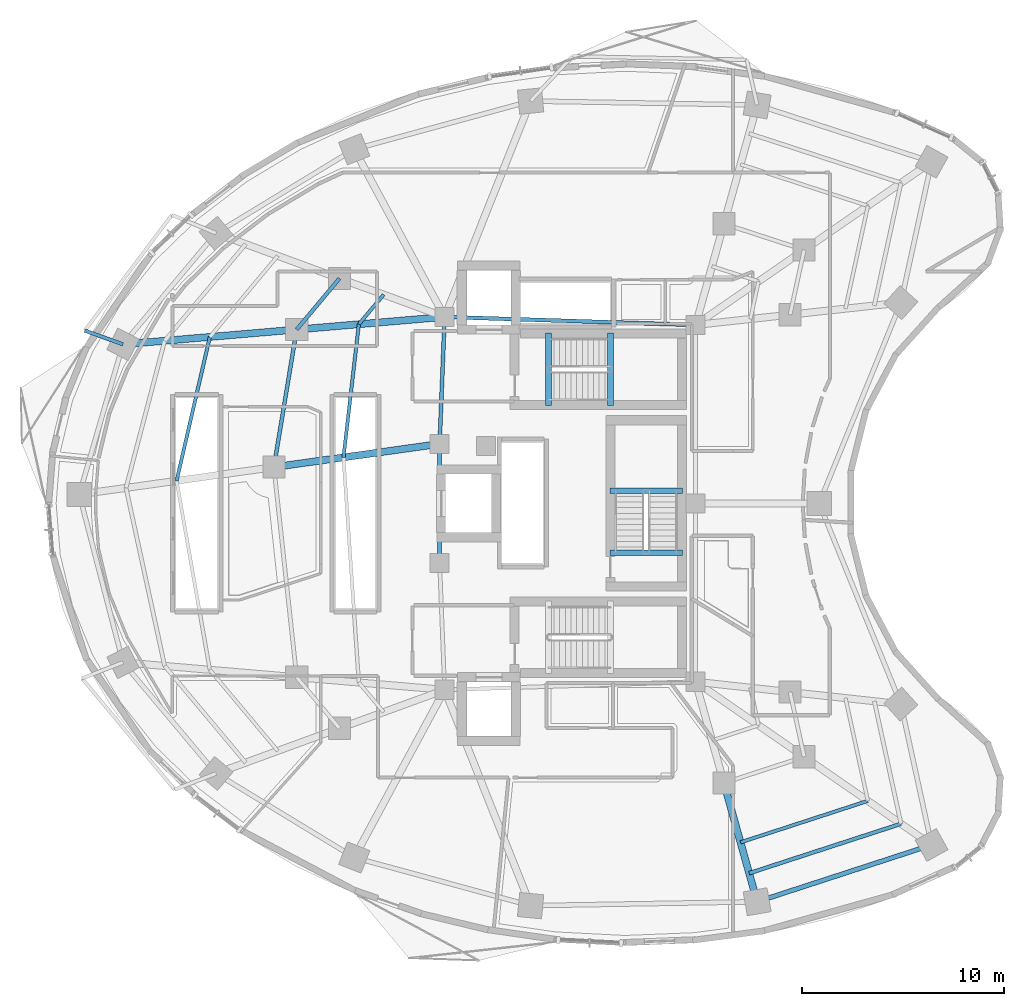
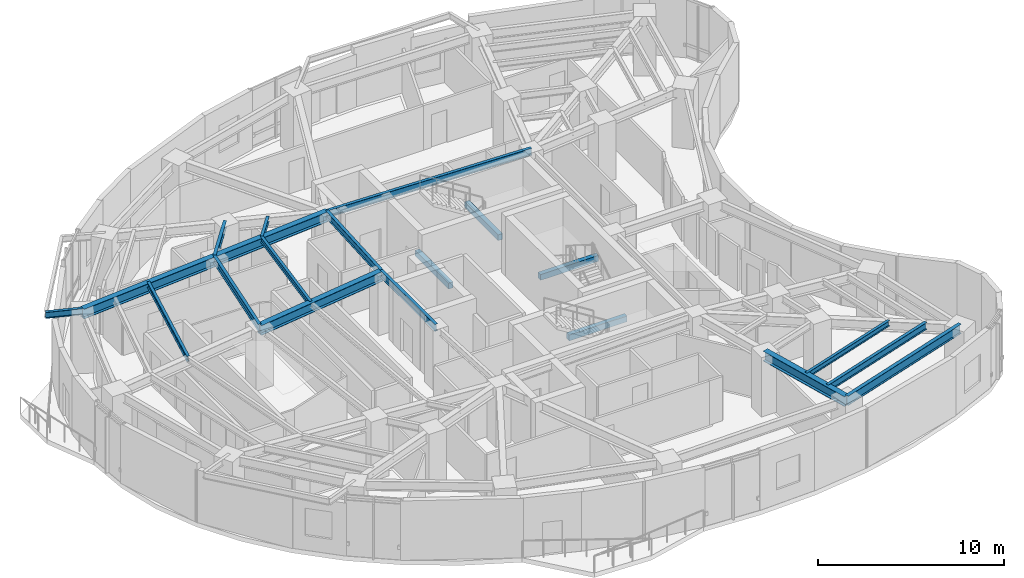
# One storey, part 3 of 15: 20 beams.
"""IFC4 building model written with IfcOpenShell, lengths in metres."""

import ifcopenshell
import ifcopenshell.guid

model = None  # the IFC model being written
_history = None  # IfcOwnerHistory: only IFC2X3 demands one
_inside = {}  # id of a spatial element -> (the spatial element, [elements in it])
_under = {}  # id of a project, library or spatial element -> (it, [spatial elements below it])
_declared = {}  # id of a project -> (the project, [libraries it declares])
_typed = {}  # id of a type object -> (the type object, [elements of that type])
_made_of = {}  # id of a material, layer set ... -> (it, [elements and type objects made of it])


def new_model(schema):
    """Start an empty IFC model of exactly this schema.

    Asked for "IFC4X3", IfcOpenShell would pick the latest addendum, in which some entities
    have other attributes; the version numbers below select the first issue.
    IFC2X3 requires an IfcOwnerHistory on every rooted entity: one is made here for all.
    """
    global model, _history
    if schema == "IFC4X3":
        model = ifcopenshell.file(schema_version=(4, 3, 0, 0))
    else:
        model = ifcopenshell.file(schema=schema)
    _inside.clear()
    _under.clear()
    _declared.clear()
    _typed.clear()
    _made_of.clear()
    _history = None
    if model.schema == "IFC2X3":
        org = make("IfcOrganization", Name="unknown")
        user = make(
            "IfcPersonAndOrganization",
            ThePerson=make("IfcPerson", FamilyName="unknown"),
            TheOrganization=org,
        )
        app = make(
            "IfcApplication",
            ApplicationDeveloper=org,
            Version="unknown",
            ApplicationFullName="unknown",
            ApplicationIdentifier="unknown",
        )
        _history = make(
            "IfcOwnerHistory",
            OwningUser=user,
            OwningApplication=app,
            ChangeAction="ADDED",
            CreationDate=0,
        )
    return model


def make(cls, **values):
    """One entity of the class cls with the attributes given. An attribute that is None is left unset."""
    return model.create_entity(
        cls, **{name: value for name, value in values.items() if value is not None}
    )


def rooted(cls, **values):
    """An entity with a GlobalId (a new one), such as an element, a storey or a relation."""
    return make(cls, GlobalId=ifcopenshell.guid.new(), OwnerHistory=_history, **values)


def si_unit(unit_type, name, prefix=None):
    """IfcSIUnit, for example si_unit("LENGTHUNIT", "METRE", prefix="MILLI")."""
    return make("IfcSIUnit", UnitType=unit_type, Prefix=prefix, Name=name)


def assignment(units):
    """IfcUnitAssignment: the units of a project."""
    return None if units is None else make("IfcUnitAssignment", Units=units)


def point(xyz):
    """IfcCartesianPoint."""
    return None if xyz is None else make("IfcCartesianPoint", Coordinates=xyz)


def direction(xyz):
    """IfcDirection."""
    return None if xyz is None else make("IfcDirection", DirectionRatios=xyz)


def frame(location, z_axis=None, x_axis=None):
    """IfcAxis2Placement3D, a coordinate frame: its origin and axes. An axis left out is left unset."""
    return make(
        "IfcAxis2Placement3D",
        Location=point(location),
        Axis=direction(z_axis),
        RefDirection=direction(x_axis),
    )


def frame_2d(location, x_axis=None):
    """IfcAxis2Placement2D, a coordinate frame in the plane: its origin and x axis."""
    return make(
        "IfcAxis2Placement2D", Location=point(location), RefDirection=direction(x_axis)
    )


def origin():
    """The frame at (0, 0, 0) with its axes left unset."""
    return frame((0.0, 0.0, 0.0))


def origin_2d():
    """The frame at (0, 0) in the plane with its x axis left unset."""
    return frame_2d((0.0, 0.0))


def place(relative_to, where):
    """IfcLocalPlacement: puts the frame where relative to a parent placement (None: the world)."""
    return make(
        "IfcLocalPlacement", PlacementRelTo=relative_to, RelativePlacement=where
    )


def context(
    kind, dimensions, precision=None, world=None, true_north=None, identifier=None
):
    """IfcGeometricRepresentationContext, for example the 3D "Model" context."""
    return make(
        "IfcGeometricRepresentationContext",
        ContextIdentifier=identifier,
        ContextType=kind,
        CoordinateSpaceDimension=dimensions,
        Precision=precision,
        WorldCoordinateSystem=world,
        TrueNorth=true_north,
    )


def subcontext(parent, identifier, kind, view, scale=None):
    """IfcGeometricRepresentationSubContext, for example "Body" below "Model"."""
    return make(
        "IfcGeometricRepresentationSubContext",
        ContextIdentifier=identifier,
        ContextType=kind,
        ParentContext=parent,
        TargetScale=scale,
        TargetView=view,
    )


def project(units=None, contexts=None):
    """IfcProject with its units and contexts."""
    return rooted(
        "IfcProject",
        Name="project",
        RepresentationContexts=contexts,
        UnitsInContext=assignment(units),
    )


def spatial(cls, under=None, at=None, **own):
    """A site, building, storey or space (cls), placed at a placement, below another one or the project."""
    s = rooted(cls, ObjectPlacement=at, **own)
    if under is not None:
        _under.setdefault(under.id(), (under, []))[1].append(s)
    return s


def profile(cls, at=None, kind="AREA", **sizes):
    """A parametric profile (cls). Its sizes go by their IFC names, for example OverallWidth=200.0."""
    return make(cls, ProfileType=kind, Position=at, **sizes)


def rectangle(**sizes):
    """IfcRectangleProfileDef."""
    return profile("IfcRectangleProfileDef", **sizes)


def i_section(**sizes):
    """IfcIShapeProfileDef."""
    return profile("IfcIShapeProfileDef", **sizes)


def extrude(swept, where, along, depth):
    """IfcExtrudedAreaSolid: the profile swept, set in the frame where, extruded along a direction by depth."""
    return make(
        "IfcExtrudedAreaSolid",
        SweptArea=swept,
        Position=where,
        ExtrudedDirection=direction(along),
        Depth=depth,
    )


def shape(context_of_items, identifier, shape_type, items):
    """IfcShapeRepresentation: the items that make up one representation, for example the "Body"."""
    return make(
        "IfcShapeRepresentation",
        ContextOfItems=context_of_items,
        RepresentationIdentifier=identifier,
        RepresentationType=shape_type,
        Items=items,
    )


def material(Name=None, Category=None):
    """IfcMaterial."""
    return make("IfcMaterial", Name=Name, Category=Category)


def material_profile(
    of_material, cross_section, Name=None, Category=None, Priority=None
):
    """IfcMaterialProfile: a cross section and its material."""
    return make(
        "IfcMaterialProfile",
        Name=Name,
        Material=of_material,
        Profile=cross_section,
        Priority=Priority,
        Category=Category,
    )


def profile_set(profiles, Name=None, composite=None):
    """IfcMaterialProfileSet."""
    return make(
        "IfcMaterialProfileSet",
        Name=Name,
        MaterialProfiles=profiles,
        CompositeProfile=composite,
    )


def made_of(thing, what):
    """Note that an element or type object is made of a material, layer set ...; save() writes the relation."""
    if what is not None:
        _made_of.setdefault(what.id(), (what, []))[1].append(thing)
    return thing


def type_object(cls, material=None, **own):
    """A type object (cls), such as IfcWallType, which elements share."""
    return made_of(rooted(cls, **own), material)


def element(
    cls,
    number,
    at=None,
    inside=None,
    cuts=None,
    type_object=None,
    material=None,
    context=None,
    identifier="Body",
    shape_type=None,
    held_by="IfcProductDefinitionShape",
    body=None,
    shapes=None,
    **own,
):
    """One element of the class cls, such as IfcWall. Its Tag is "e" and its number.

    at: its placement. inside: the storey or other place that contains it. cuts: it is an
    opening in that element (IfcRelVoidsElement). A single representation is given by context,
    identifier, shape_type and body (its items); several are given by shapes. held_by: the class
    of the entity that holds the representations. save() writes the other relations.
    """
    e = rooted(cls, Tag="e%d" % number, ObjectPlacement=at, **own)
    if body is not None:
        shapes = [shape(context, identifier, shape_type, body)]
    if shapes is not None:
        e.Representation = make(held_by, Representations=shapes)
    if inside is not None:
        _inside.setdefault(inside.id(), (inside, []))[1].append(e)
    if cuts is not None:
        rooted(
            "IfcRelVoidsElement", RelatingBuildingElement=cuts, RelatedOpeningElement=e
        )
    if type_object is not None:
        _typed.setdefault(type_object.id(), (type_object, []))[1].append(e)
    return made_of(e, material)


def aggregate(whole, parts):
    """IfcRelAggregates: a whole, such as a stair, and the parts it consists of."""
    return rooted("IfcRelAggregates", RelatingObject=whole, RelatedObjects=parts)


def save(model, path):
    """Write the relations noted so far, then the file.

    IfcRelAggregates (storeys below a building ...), IfcRelContainedInSpatialStructure (elements
    in a storey), IfcRelDefinesByType, IfcRelAssociatesMaterial and IfcRelDeclares: one each for
    every whole, place, type object, material and project.
    """
    for whole, parts in _under.values():
        aggregate(whole, parts)
    for where, things in _inside.values():
        rooted(
            "IfcRelContainedInSpatialStructure",
            RelatedElements=things,
            RelatingStructure=where,
        )
    for kind, things in _typed.values():
        rooted("IfcRelDefinesByType", RelatedObjects=things, RelatingType=kind)
    for what, things in _made_of.values():
        rooted("IfcRelAssociatesMaterial", RelatedObjects=things, RelatingMaterial=what)
    for by, libraries in _declared.values():
        rooted("IfcRelDeclares", RelatingContext=by, RelatedDefinitions=libraries)
    model.write(path)


model = new_model("IFC4")

# Units and contexts
model_context = context("Model", 3, precision=1e-05, world=origin(), true_north=direction((0.0, 1.0)))
body_context = subcontext(model_context, "Body", "Model", "MODEL_VIEW")
ifc_project = project(units=[si_unit("LENGTHUNIT", "METRE"), si_unit("AREAUNIT", "SQUARE_METRE"), si_unit("VOLUMEUNIT", "CUBIC_METRE"), si_unit("PLANEANGLEUNIT", "RADIAN"), si_unit("MASSUNIT", "GRAM", prefix="KILO")], contexts=[model_context])

# Site, building, storey
site_placement = place(None, origin())
site = spatial("IfcSite", under=ifc_project, at=site_placement, CompositionType="ELEMENT")
building_placement = place(site_placement, origin())
building = spatial("IfcBuilding", under=site, at=building_placement, Name="Korentha Bioscience Tower", CompositionType="ELEMENT")
storey_placement = place(building_placement, frame((0.0, 0.0, 94.199951171875)))
storey = spatial("IfcBuildingStorey", under=building, at=storey_placement, Name="L21", CompositionType="ELEMENT", Elevation=94.199951171875)

# Beams
ifc_material_1 = material(Name="Concrete C50", Category="concrete")
ifc_material_profile_1 = material_profile(ifc_material_1, rectangle(XDim=0.280029296875, YDim=0.3798828125, at=origin_2d()), Name="Concrete C50")
ifc_profile_set_1 = profile_set([ifc_material_profile_1], Name="Concrete C50 (ST-HB380)")
beam_type_1 = type_object("IfcBeamType", Name="Concrete Stair Header Beam RC 280x380", PredefinedType="BEAM", material=ifc_profile_set_1)
for number, where, z_axis, x_axis, name in (
    (1, (30.25, 31.85009765625, -0.18994140625), (0.0, 1.0, 0.0), (-1.0, 0.0, 0.0), "L21 ST-1 Concrete Stair Header Beam"),
    (2, (33.330078125, 31.85009765625, 1.91015625), (0.0, 1.0, 0.0), (-1.0, 0.0, 0.0), "L21 ST-1 Half-Landing Header Beam 1"),
    (3, (36.89990234375, 24.550048828125, -0.18994140625), (-1.0, 0.0, 0.0), (0.0, -1.0, 0.0), "L21 ST-3 Concrete Stair Header Beam"),
    (4, (36.89990234375, 27.6298828125, 1.91015625), (-1.0, 0.0, 0.0), (0.0, -1.0, 0.0), "L21 ST-3 Half-Landing Header Beam 1"),
):
    element("IfcBeam", number, at=place(storey_placement, frame(where, z_axis=z_axis, x_axis=x_axis)), inside=storey, type_object=beam_type_1, Name=name, PredefinedType="BEAM", context=body_context, shape_type="SweptSolid", body=[
        extrude(rectangle(XDim=0.280029296875, YDim=0.3798828125, at=origin_2d()), origin(), (0.0, 0.0, 1.0), 3.599853515625),
    ])
ifc_material_2 = material(Name="Steel S355", Category="steel")
ifc_material_profile_2 = material_profile(ifc_material_2, i_section(OverallWidth=0.18994140625, OverallDepth=0.45703125, WebThickness=0.009033203125, FlangeThickness=0.014404296875, at=origin_2d()), Name="Steel S355")
ifc_profile_set_2 = profile_set([ifc_material_profile_2], Name="Steel S355 (MB-460)")
beam_type_2 = type_object("IfcBeamType", Name="Mid-Ring Tie Girder W460x74", PredefinedType="BEAM", material=ifc_profile_set_2)
beam_1_placement = place(storey_placement, frame((19.882568359375, 38.158935546875, 3.671630859375), z_axis=(-0.642121371708, -0.766602989817, 0.0), x_axis=(0.766602989817, -0.642121371708, 0.0)))
element("IfcBeam", 5, at=beam_1_placement, inside=storey, type_object=beam_type_2, Name="L21 Mid-Ring Tie Girder 05", PredefinedType="BEAM", context=body_context, shape_type="SweptSolid", body=[
    extrude(i_section(OverallWidth=0.18994140625, OverallDepth=0.45703125, WebThickness=0.009033203125, FlangeThickness=0.014404296875, at=origin_2d()), origin(), (0.0, 0.0, 1.0), 3.306640625),
])
beam_2_placement = place(storey_placement, frame((17.75927734375, 35.6240234375, 3.671630859375), z_axis=(-0.163580878592, -0.986529926641, 0.0), x_axis=(0.986529926641, -0.163580878592, 0.0)))
element("IfcBeam", 6, at=beam_2_placement, inside=storey, type_object=beam_type_2, Name="L21 Mid-Ring Tie Girder 06", PredefinedType="BEAM", context=body_context, shape_type="SweptSolid", body=[
    extrude(i_section(OverallWidth=0.18994140625, OverallDepth=0.45703125, WebThickness=0.009033203125, FlangeThickness=0.014404296875, at=origin_2d()), origin(), (0.0, 0.0, 1.0), 6.920654296875),
])
beam_3_placement = place(storey_placement, frame((37.550048828125, 35.85009765625, 3.671630859375), z_axis=(-0.999484526071, 0.032104238723, 0.0), x_axis=(-0.032104238723, -0.999484526071, 0.0)))
element("IfcBeam", 7, at=beam_3_placement, inside=storey, type_object=beam_type_2, Name="L21 Core Ring Tie Girder 01", PredefinedType="BEAM", context=body_context, shape_type="SweptSolid", body=[
    extrude(i_section(OverallWidth=0.18994140625, OverallDepth=0.45703125, WebThickness=0.009033203125, FlangeThickness=0.014404296875, at=origin_2d()), origin(), (0.0, 0.0, 1.0), 12.456298828125),
])
beam_4_placement = place(storey_placement, frame((25.10009765625, 36.25, 3.671630859375), z_axis=(-0.039651025576, -0.999213588864, 0.0), x_axis=(0.999213588864, -0.039651025576, 0.0)))
element("IfcBeam", 8, at=beam_4_placement, inside=storey, type_object=beam_type_2, Name="L21 Core Ring Tie Girder 02", PredefinedType="BEAM", context=body_context, shape_type="SweptSolid", body=[
    extrude(i_section(OverallWidth=0.18994140625, OverallDepth=0.45703125, WebThickness=0.009033203125, FlangeThickness=0.014404296875, at=origin_2d()), origin(), (0.0, 0.0, 1.0), 6.304931640625),
])
beam_5_placement = place(storey_placement, frame((24.85009765625, 29.949951171875, 3.671630859375), z_axis=(0.0, -1.0, 0.0), x_axis=(1.0, 0.0, 0.0)))
element("IfcBeam", 9, at=beam_5_placement, inside=storey, type_object=beam_type_2, Name="L21 Core Ring Tie Girder 03", PredefinedType="BEAM", context=body_context, shape_type="SweptSolid", body=[
    extrude(i_section(OverallWidth=0.18994140625, OverallDepth=0.45703125, WebThickness=0.009033203125, FlangeThickness=0.014404296875, at=origin_2d()), origin(), (0.0, 0.0, 1.0), 5.89990234375),
])
ifc_material_profile_3 = material_profile(ifc_material_2, i_section(OverallWidth=0.22802734375, OverallDepth=0.60791015625, WebThickness=0.01123046875, FlangeThickness=0.017333984375, at=origin_2d()), Name="Steel S355")
ifc_profile_set_3 = profile_set([ifc_material_profile_3], Name="Steel S355 (SB-610)")
beam_type_3 = type_object("IfcBeamType", Name="Perimeter Ring Spandrel Girder W610x113", PredefinedType="SPANDREL", material=ifc_profile_set_3)
beam_6_placement = place(storey_placement, frame((40.604248046875, 7.235107421875, 3.595947265625), z_axis=(0.950867758759, 0.309597327755, 0.0), x_axis=(-0.309597327755, 0.950867758759, 0.0)))
element("IfcBeam", 10, at=beam_6_placement, inside=storey, type_object=beam_type_3, Name="L21 Perimeter Spandrel Girder 12", PredefinedType="SPANDREL", context=body_context, shape_type="SweptSolid", body=[
    extrude(i_section(OverallWidth=0.22802734375, OverallDepth=0.60791015625, WebThickness=0.01123046875, FlangeThickness=0.017333984375, at=origin_2d()), origin(), (0.0, 0.0, 1.0), 9.101806640625),
])
ifc_material_profile_4 = material_profile(ifc_material_2, i_section(OverallWidth=0.18994140625, OverallDepth=0.45703125, WebThickness=0.009033203125, FlangeThickness=0.014404296875, at=origin_2d()), Name="Steel S355")
ifc_profile_set_4 = profile_set([ifc_material_profile_4], Name="Steel S355 (RB-460)")
beam_type_4 = type_object("IfcBeamType", Name="Radial Laboratory Beam W460x74", PredefinedType="BEAM", material=ifc_profile_set_4)
beam_7_placement = place(storey_placement, frame((40.20849609375, 8.64990234375, 3.671630859375), z_axis=(0.950866789802, 0.3096003037, 0.0), x_axis=(-0.3096003037, 0.950866789802, 0.0)))
element("IfcBeam", 11, at=beam_7_placement, inside=storey, type_object=beam_type_4, Name="L21 Secondary Floor Beam JSTO-12", PredefinedType="BEAM", context=body_context, shape_type="SweptSolid", body=[
    extrude(i_section(OverallWidth=0.18994140625, OverallDepth=0.45703125, WebThickness=0.009033203125, FlangeThickness=0.014404296875, at=origin_2d()), origin(), (0.0, 0.0, 1.0), 7.921875),
])
ifc_material_profile_5 = material_profile(ifc_material_2, i_section(OverallWidth=0.35009765625, OverallDepth=0.64990234375, WebThickness=0.01611328125, FlangeThickness=0.02490234375, at=origin_2d()), Name="Steel S355")
ifc_profile_set_5 = profile_set([ifc_material_profile_5], Name="Steel S355 (RB-650)")
beam_type_5 = type_object("IfcBeamType", Name="Radial Laboratory Girder CVS 650x208", PredefinedType="BEAM", material=ifc_profile_set_5)
beam_8_placement = place(storey_placement, frame((25.10009765625, 36.25, 3.574951171875), z_axis=(-0.996383934197, -0.084965026183, 0.0), x_axis=(0.084965026183, -0.996383934197, 0.0)))
element("IfcBeam", 12, at=beam_8_placement, inside=storey, type_object=beam_type_5, Name="L21 Inner Radial Girder 06", PredefinedType="BEAM", context=body_context, shape_type="SweptSolid", body=[
    extrude(i_section(OverallWidth=0.35009765625, OverallDepth=0.64990234375, WebThickness=0.01611328125, FlangeThickness=0.02490234375, at=origin_2d()), origin(), (0.0, 0.0, 1.0), 7.367431640625),
])
beam_9_placement = place(storey_placement, frame((17.75927734375, 35.6240234375, 3.574951171875), z_axis=(-0.996386071548, -0.084939957767, 0.0), x_axis=(0.084939957767, -0.996386071548, 0.0)))
element("IfcBeam", 13, at=beam_9_placement, inside=storey, type_object=beam_type_5, Name="L21 Outer Radial Girder 06", PredefinedType="BEAM", context=body_context, shape_type="SweptSolid", body=[
    extrude(i_section(OverallWidth=0.35009765625, OverallDepth=0.64990234375, WebThickness=0.01611328125, FlangeThickness=0.02490234375, at=origin_2d()), origin(), (0.0, 0.0, 1.0), 8.648681640625),
])
beam_10_placement = place(storey_placement, frame((24.85009765625, 29.949951171875, 3.574951171875), z_axis=(-0.990306752817, -0.13889757134, 0.0), x_axis=(0.13889757134, -0.990306752817, 0.0)))
element("IfcBeam", 14, at=beam_10_placement, inside=storey, type_object=beam_type_5, Name="L21 Inner Radial Girder 07", PredefinedType="BEAM", context=body_context, shape_type="SweptSolid", body=[
    extrude(i_section(OverallWidth=0.35009765625, OverallDepth=0.64990234375, WebThickness=0.01611328125, FlangeThickness=0.02490234375, at=origin_2d()), origin(), (0.0, 0.0, 1.0), 8.303466796875),
])
beam_11_placement = place(storey_placement, frame((38.954833984375, 13.129150390625, 3.574951171875), z_axis=(0.269490843458, -0.963002951861, 0.0), x_axis=(0.963002951861, 0.269490843458, 0.0)))
element("IfcBeam", 15, at=beam_11_placement, inside=storey, type_object=beam_type_5, Name="L21 Outer Radial Girder 12", PredefinedType="BEAM", context=body_context, shape_type="SweptSolid", body=[
    extrude(i_section(OverallWidth=0.35009765625, OverallDepth=0.64990234375, WebThickness=0.01611328125, FlangeThickness=0.02490234375, at=origin_2d()), origin(), (0.0, 0.0, 1.0), 6.120361328125),
])
ifc_material_profile_6 = material_profile(ifc_material_2, i_section(OverallWidth=0.1708984375, OverallDepth=0.35498046875, WebThickness=0.007080078125, FlangeThickness=0.01171875, at=origin_2d()), Name="Steel S355")
ifc_profile_set_6 = profile_set([ifc_material_profile_6], Name="Steel S355 (JB-360)")
beam_type_6 = type_object("IfcBeamType", Name="Secondary Laboratory Joist W360x51", PredefinedType="JOIST", material=ifc_profile_set_6)
beam_12_placement = place(storey_placement, frame((22.073974609375, 37.357177734375, 3.72265625), z_axis=(-0.64218549873, -0.766549271229, 0.0), x_axis=(0.766549271229, -0.64218549873, 0.0)))
element("IfcBeam", 16, at=beam_12_placement, inside=storey, type_object=beam_type_6, Name="L21 Inner Bay Joist 05", PredefinedType="JOIST", context=body_context, shape_type="SweptSolid", body=[
    extrude(i_section(OverallWidth=0.1708984375, OverallDepth=0.35498046875, WebThickness=0.007080078125, FlangeThickness=0.01171875, at=origin_2d()), origin(), (0.0, 0.0, 1.0), 1.91796875),
])
beam_13_placement = place(storey_placement, frame((13.450439453125, 35.256591796875, 3.72265625), z_axis=(-0.225236780605, -0.974304055551, 0.0), x_axis=(0.974304055551, -0.225236780605, 0.0)))
element("IfcBeam", 17, at=beam_13_placement, inside=storey, type_object=beam_type_6, Name="L21 Secondary Floor Beam JST-06", PredefinedType="JOIST", context=body_context, shape_type="SweptSolid", body=[
    extrude(i_section(OverallWidth=0.1708984375, OverallDepth=0.35498046875, WebThickness=0.007080078125, FlangeThickness=0.01171875, at=origin_2d()), origin(), (0.0, 0.0, 1.0), 7.3251953125),
])
beam_14_placement = place(storey_placement, frame((20.84228515625, 35.886962890625, 3.72265625), z_axis=(-0.114512623722, -0.993421793101, 0.0), x_axis=(0.993421793101, -0.114512623722, 0.0)))
element("IfcBeam", 18, at=beam_14_placement, inside=storey, type_object=beam_type_6, Name="L21 Inner Bay Joist 06", PredefinedType="JOIST", context=body_context, shape_type="SweptSolid", body=[
    extrude(i_section(OverallWidth=0.1708984375, OverallDepth=0.35498046875, WebThickness=0.007080078125, FlangeThickness=0.01171875, at=origin_2d()), origin(), (0.0, 0.0, 1.0), 6.649658203125),
])
beam_15_placement = place(storey_placement, frame((39.779541015625, 10.18212890625, 3.72265625), z_axis=(0.950864890997, 0.309606135387, 0.0), x_axis=(-0.309606135387, 0.950864890997, 0.0)))
element("IfcBeam", 19, at=beam_15_placement, inside=storey, type_object=beam_type_6, Name="L21 Secondary Floor Beam JST-12", PredefinedType="JOIST", context=body_context, shape_type="SweptSolid", body=[
    extrude(i_section(OverallWidth=0.1708984375, OverallDepth=0.35498046875, WebThickness=0.007080078125, FlangeThickness=0.01171875, at=origin_2d()), origin(), (0.0, 0.0, 1.0), 6.644287109375),
])
ifc_material_profile_7 = material_profile(ifc_material_2, i_section(OverallWidth=0.177978515625, OverallDepth=0.406982421875, WebThickness=0.0078125, FlangeThickness=0.0126953125, at=origin_2d()), Name="Steel S355")
ifc_profile_set_7 = profile_set([ifc_material_profile_7], Name="Steel S355 (CB-410)")
beam_type_7 = type_object("IfcBeamType", Name="Sun-Ledge Cantilever Beam W410x60", PredefinedType="BEAM", material=ifc_profile_set_7)
beam_16_placement = place(storey_placement, frame((9.141845703125, 34.889404296875, 3.698486328125), z_axis=(-0.940653882129, 0.339367461662, 0.0), x_axis=(-0.339367461662, -0.940653882129, 0.0)))
element("IfcBeam", 20, at=beam_16_placement, inside=storey, type_object=beam_type_7, Name="L21 Balcony Cantilever Bracket B-L22-02", PredefinedType="BEAM", context=body_context, shape_type="SweptSolid", body=[
    extrude(i_section(OverallWidth=0.177978515625, OverallDepth=0.406982421875, WebThickness=0.0078125, FlangeThickness=0.0126953125, at=origin_2d()), origin(), (0.0, 0.0, 1.0), 2.014404296875),
])

save(model, "model.ifc")
